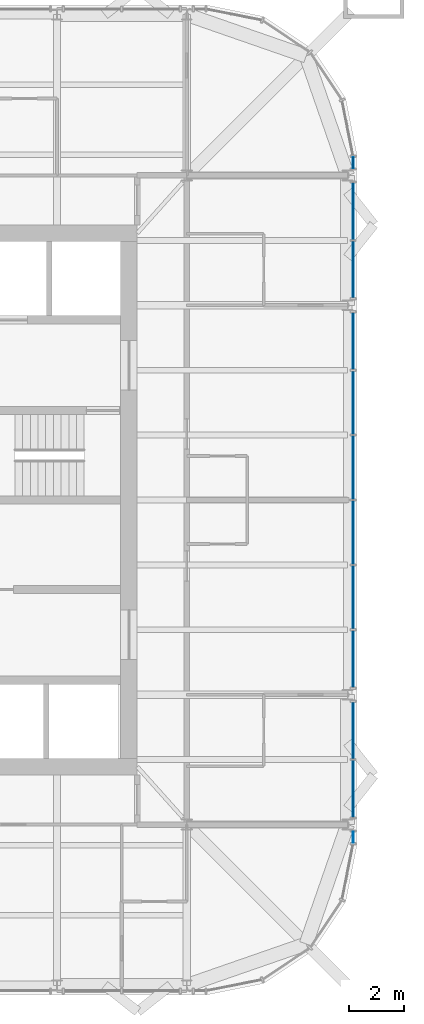
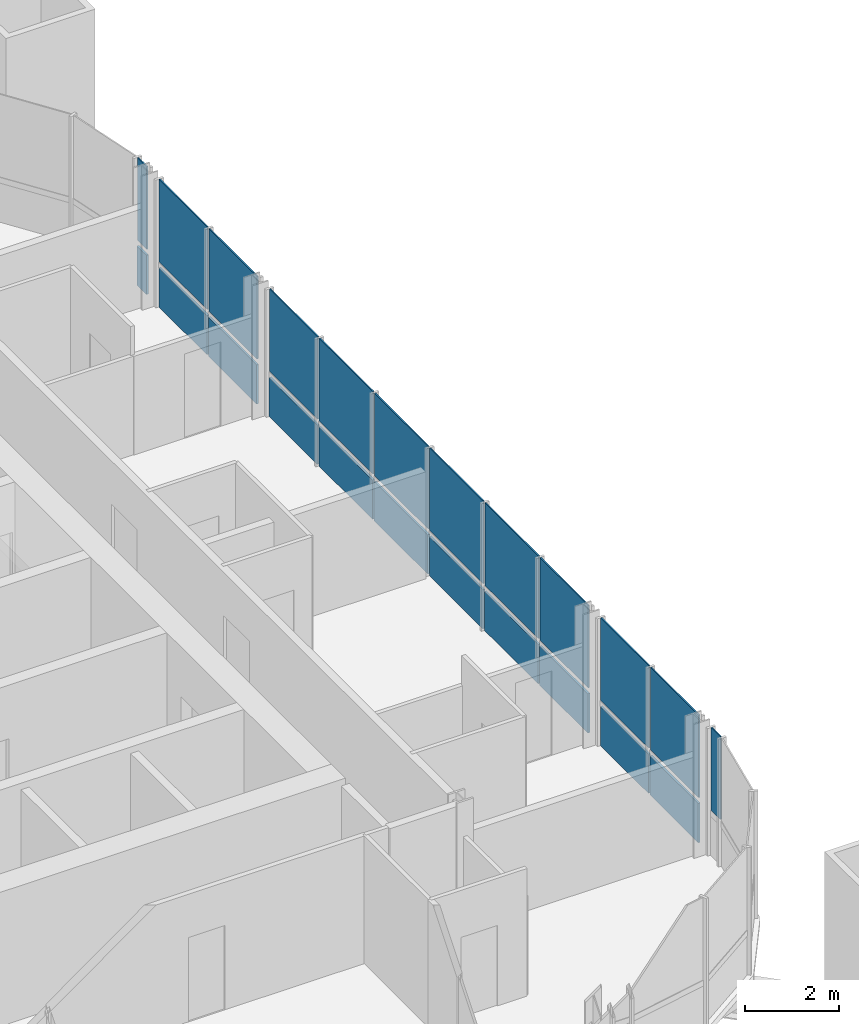
# One storey, part 11 of 17: 23 plates, 5 elements without a shape of their own.
"""IFC4 building model written with IfcOpenShell, lengths in metres."""

from ifc_helpers import new_model, si_unit, direction, frame, origin, origin_2d, place, context, subcontext, project, spatial, rectangle, extrude, material, layer, layer_set, type_object, element, aggregate, save


model = new_model("IFC4")

# Units and contexts
model_context = context("Model", 3, precision=1e-05, world=origin(), true_north=direction((0.0, 1.0)))
body_context = subcontext(model_context, "Body", "Model", "MODEL_VIEW")
ifc_project = project(units=[si_unit("LENGTHUNIT", "METRE"), si_unit("AREAUNIT", "SQUARE_METRE"), si_unit("VOLUMEUNIT", "CUBIC_METRE"), si_unit("PLANEANGLEUNIT", "RADIAN"), si_unit("MASSUNIT", "GRAM", prefix="KILO")], contexts=[model_context])

# Site, building, storey
site_placement = place(None, origin())
site = spatial("IfcSite", under=ifc_project, at=site_placement, CompositionType="ELEMENT")
building_placement = place(site_placement, origin())
building = spatial("IfcBuilding", under=site, at=building_placement, Name="Turquesa Mirador Hotel Tower", CompositionType="ELEMENT")
storey_placement = place(building_placement, frame((0.0, 0.0, 237.199951171875)))
storey = spatial("IfcBuildingStorey", under=building, at=storey_placement, Name="L64", CompositionType="ELEMENT", Elevation=237.199951171875)

# Curtain wall, plates
ifc_material_1 = material(Name="Aluminium extrusion", Category="aluminium")
curtain_wall_type = type_object("IfcCurtainWallType", Name="CW-4 SUITE FRITTED CURTAIN WALL", PredefinedType="USERDEFINED", material=ifc_material_1)
curtain_wall_1_placement = place(storey_placement, origin())
curtain_wall_1 = element("IfcCurtainWall", 1, at=curtain_wall_1_placement, inside=storey, type_object=curtain_wall_type, Name="CW-4 SUITE FRITTED CURTAIN WALL L64", ObjectType="CURTAIN WALL", PredefinedType="USERDEFINED")
ifc_material_2 = material(Name="Ceramic-printed spandrel glass on an insulated back pan", Category="glass")
ifc_layer_1 = layer(ifc_material_2, 0.050048828125)
ifc_layer_set_1 = layer_set([ifc_layer_1], Name="CW PANEL SPANDREL CERAMIC")
plate_type_1 = type_object("IfcPlateType", Name="CW PANEL SPANDREL CERAMIC", PredefinedType="CURTAIN_PANEL", material=ifc_layer_set_1)
plate_1_placement = place(storey_placement, frame((72.85009765625, 34.496826171875, 0.0), z_axis=(0.0, 0.0, 1.0), x_axis=(0.0, 1.0, 0.0)))
plate_1 = element("IfcPlate", 2, at=plate_1_placement, type_object=plate_type_1, Name="Panel", PredefinedType="CURTAIN_PANEL", context=body_context, shape_type="SweptSolid", body=[
    extrude(rectangle(XDim=2.06103515625, YDim=0.050048828125, at=origin_2d()), origin(), (0.0, 0.0, 1.0), 1.02490234375),
])
plate_2_placement = place(storey_placement, frame((72.85009765625, 36.623046875, 0.0), z_axis=(0.0, 0.0, 1.0), x_axis=(0.0, 1.0, 0.0)))
plate_2 = element("IfcPlate", 3, at=plate_2_placement, type_object=plate_type_1, Name="Panel", PredefinedType="CURTAIN_PANEL", context=body_context, shape_type="SweptSolid", body=[
    extrude(rectangle(XDim=2.06103515625, YDim=0.050048828125, at=origin_2d()), origin(), (0.0, 0.0, 1.0), 1.02490234375),
])

curtain_wall_2_placement = place(storey_placement, origin())
curtain_wall_2 = element("IfcCurtainWall", 4, at=curtain_wall_2_placement, inside=storey, type_object=curtain_wall_type, Name="CW-4 SUITE FRITTED CURTAIN WALL L64", ObjectType="CURTAIN WALL", PredefinedType="USERDEFINED")
plate_3_placement = place(storey_placement, frame((72.85009765625, 39.217041015625, 0.0), z_axis=(0.0, 0.0, 1.0), x_axis=(0.0, 1.0, 0.0)))
plate_3 = element("IfcPlate", 5, at=plate_3_placement, type_object=plate_type_1, Name="Panel", PredefinedType="CURTAIN_PANEL", context=body_context, shape_type="SweptSolid", body=[
    extrude(rectangle(XDim=2.06103515625, YDim=0.050048828125, at=origin_2d()), origin(), (0.0, 0.0, 1.0), 1.02490234375),
])
plate_4_placement = place(storey_placement, frame((72.85009765625, 41.4599609375, 0.0), z_axis=(0.0, 0.0, 1.0), x_axis=(0.0, 1.0, 0.0)))
plate_4 = element("IfcPlate", 6, at=plate_4_placement, type_object=plate_type_1, Name="Panel", PredefinedType="CURTAIN_PANEL", context=body_context, shape_type="SweptSolid", body=[
    extrude(rectangle(XDim=2.294921875, YDim=0.050048828125, at=origin_2d()), origin(), (0.0, 0.0, 1.0), 1.02490234375),
])
plate_5_placement = place(storey_placement, frame((72.85009765625, 43.820068359375, 0.0), z_axis=(0.0, 0.0, 1.0), x_axis=(0.0, 1.0, 0.0)))
plate_5 = element("IfcPlate", 7, at=plate_5_placement, type_object=plate_type_1, Name="Panel", PredefinedType="CURTAIN_PANEL", context=body_context, shape_type="SweptSolid", body=[
    extrude(rectangle(XDim=2.294921875, YDim=0.050048828125, at=origin_2d()), origin(), (0.0, 0.0, 1.0), 1.02490234375),
])
plate_6_placement = place(storey_placement, frame((72.85009765625, 46.179931640625, 0.0), z_axis=(0.0, 0.0, 1.0), x_axis=(0.0, 1.0, 0.0)))
plate_6 = element("IfcPlate", 8, at=plate_6_placement, type_object=plate_type_1, Name="Panel", PredefinedType="CURTAIN_PANEL", context=body_context, shape_type="SweptSolid", body=[
    extrude(rectangle(XDim=2.294921875, YDim=0.050048828125, at=origin_2d()), origin(), (0.0, 0.0, 1.0), 1.02490234375),
])
plate_7_placement = place(storey_placement, frame((72.85009765625, 48.5400390625, 0.0), z_axis=(0.0, 0.0, 1.0), x_axis=(0.0, 1.0, 0.0)))
plate_7 = element("IfcPlate", 9, at=plate_7_placement, type_object=plate_type_1, Name="Panel", PredefinedType="CURTAIN_PANEL", context=body_context, shape_type="SweptSolid", body=[
    extrude(rectangle(XDim=2.294921875, YDim=0.050048828125, at=origin_2d()), origin(), (0.0, 0.0, 1.0), 1.02490234375),
])
plate_8_placement = place(storey_placement, frame((72.85009765625, 50.782958984375, 0.0), z_axis=(0.0, 0.0, 1.0), x_axis=(0.0, 1.0, 0.0)))
plate_8 = element("IfcPlate", 10, at=plate_8_placement, type_object=plate_type_1, Name="Panel", PredefinedType="CURTAIN_PANEL", context=body_context, shape_type="SweptSolid", body=[
    extrude(rectangle(XDim=2.06103515625, YDim=0.050048828125, at=origin_2d()), origin(), (0.0, 0.0, 1.0), 1.02490234375),
])

curtain_wall_3_placement = place(storey_placement, origin())
curtain_wall_3 = element("IfcCurtainWall", 11, at=curtain_wall_3_placement, inside=storey, type_object=curtain_wall_type, Name="CW-4 SUITE FRITTED CURTAIN WALL L64", ObjectType="CURTAIN WALL", PredefinedType="USERDEFINED")
plate_9_placement = place(storey_placement, frame((72.85009765625, 53.376953125, 0.0), z_axis=(0.0, 0.0, 1.0), x_axis=(0.0, 1.0, 0.0)))
plate_9 = element("IfcPlate", 12, at=plate_9_placement, type_object=plate_type_1, Name="Panel", PredefinedType="CURTAIN_PANEL", context=body_context, shape_type="SweptSolid", body=[
    extrude(rectangle(XDim=2.06103515625, YDim=0.050048828125, at=origin_2d()), origin(), (0.0, 0.0, 1.0), 1.02490234375),
])
plate_10_placement = place(storey_placement, frame((72.85009765625, 55.503173828125, 0.0), z_axis=(0.0, 0.0, 1.0), x_axis=(0.0, 1.0, 0.0)))
plate_10 = element("IfcPlate", 13, at=plate_10_placement, type_object=plate_type_1, Name="Panel", PredefinedType="CURTAIN_PANEL", context=body_context, shape_type="SweptSolid", body=[
    extrude(rectangle(XDim=2.06103515625, YDim=0.050048828125, at=origin_2d()), origin(), (0.0, 0.0, 1.0), 1.02490234375),
])

# Curtain wall, plate
curtain_wall_4_placement = place(storey_placement, origin())
curtain_wall_4 = element("IfcCurtainWall", 14, at=curtain_wall_4_placement, inside=storey, type_object=curtain_wall_type, Name="CW-4 SUITE FRITTED CURTAIN WALL L64", ObjectType="CURTAIN WALL", PredefinedType="USERDEFINED")
plate_11_placement = place(storey_placement, frame((72.85009765625, 57.266845703125, 0.0), z_axis=(0.0, 0.0, 1.0), x_axis=(0.0, 1.0, 0.0)))
plate_11 = element("IfcPlate", 15, at=plate_11_placement, type_object=plate_type_1, Name="Panel", PredefinedType="CURTAIN_PANEL", context=body_context, shape_type="SweptSolid", body=[
    extrude(rectangle(XDim=0.401123046875, YDim=0.050048828125, at=origin_2d()), origin(), (0.0, 0.0, 1.0), 1.02490234375),
])

curtain_wall_5_placement = place(storey_placement, origin())
curtain_wall_5 = element("IfcCurtainWall", 16, at=curtain_wall_5_placement, inside=storey, type_object=curtain_wall_type, Name="CW-4 SUITE FRITTED CURTAIN WALL L64", ObjectType="CURTAIN WALL", PredefinedType="USERDEFINED")
ifc_material_3 = material(Name="Ceramic-fritted laminated glass", Category="glass")
ifc_layer_2 = layer(ifc_material_3, 0.031982421875)
ifc_layer_set_2 = layer_set([ifc_layer_2], Name="CW PANEL VISION FRITTED")
plate_type_2 = type_object("IfcPlateType", Name="CW PANEL VISION FRITTED", PredefinedType="CURTAIN_PANEL", material=ifc_layer_set_2)
plate_12_placement = place(storey_placement, frame((72.85009765625, 32.733154296875, 1.1748046875), z_axis=(0.0, 0.0, 1.0), x_axis=(0.0, 1.0, 0.0)))
plate_12 = element("IfcPlate", 17, at=plate_12_placement, type_object=plate_type_2, Name="Panel", PredefinedType="CURTAIN_PANEL", context=body_context, shape_type="SweptSolid", body=[
    extrude(rectangle(XDim=0.401123046875, YDim=0.031982421875, at=origin_2d()), origin(), (0.0, 0.0, 1.0), 2.155029296875),
])
aggregate(curtain_wall_5, [plate_12])

# Plate
plate_13_placement = place(storey_placement, frame((72.85009765625, 34.496826171875, 1.1748046875), z_axis=(0.0, 0.0, 1.0), x_axis=(0.0, 1.0, 0.0)))
plate_13 = element("IfcPlate", 18, at=plate_13_placement, type_object=plate_type_2, Name="Panel", PredefinedType="CURTAIN_PANEL", context=body_context, shape_type="SweptSolid", body=[
    extrude(rectangle(XDim=2.06103515625, YDim=0.031982421875, at=origin_2d()), origin(), (0.0, 0.0, 1.0), 2.155029296875),
])

plate_14_placement = place(storey_placement, frame((72.85009765625, 36.623046875, 1.1748046875), z_axis=(0.0, 0.0, 1.0), x_axis=(0.0, 1.0, 0.0)))
plate_14 = element("IfcPlate", 19, at=plate_14_placement, type_object=plate_type_2, Name="Panel", PredefinedType="CURTAIN_PANEL", context=body_context, shape_type="SweptSolid", body=[
    extrude(rectangle(XDim=2.06103515625, YDim=0.031982421875, at=origin_2d()), origin(), (0.0, 0.0, 1.0), 2.155029296875),
])

aggregate(curtain_wall_1, [plate_1, plate_13, plate_2, plate_14])

plate_15_placement = place(storey_placement, frame((72.85009765625, 39.217041015625, 1.1748046875), z_axis=(0.0, 0.0, 1.0), x_axis=(0.0, 1.0, 0.0)))
plate_15 = element("IfcPlate", 20, at=plate_15_placement, type_object=plate_type_2, Name="Panel", PredefinedType="CURTAIN_PANEL", context=body_context, shape_type="SweptSolid", body=[
    extrude(rectangle(XDim=2.06103515625, YDim=0.031982421875, at=origin_2d()), origin(), (0.0, 0.0, 1.0), 2.155029296875),
])

plate_16_placement = place(storey_placement, frame((72.85009765625, 41.4599609375, 1.1748046875), z_axis=(0.0, 0.0, 1.0), x_axis=(0.0, 1.0, 0.0)))
plate_16 = element("IfcPlate", 21, at=plate_16_placement, type_object=plate_type_2, Name="Panel", PredefinedType="CURTAIN_PANEL", context=body_context, shape_type="SweptSolid", body=[
    extrude(rectangle(XDim=2.294921875, YDim=0.031982421875, at=origin_2d()), origin(), (0.0, 0.0, 1.0), 2.155029296875),
])

plate_17_placement = place(storey_placement, frame((72.85009765625, 43.820068359375, 1.1748046875), z_axis=(0.0, 0.0, 1.0), x_axis=(0.0, 1.0, 0.0)))
plate_17 = element("IfcPlate", 22, at=plate_17_placement, type_object=plate_type_2, Name="Panel", PredefinedType="CURTAIN_PANEL", context=body_context, shape_type="SweptSolid", body=[
    extrude(rectangle(XDim=2.294921875, YDim=0.031982421875, at=origin_2d()), origin(), (0.0, 0.0, 1.0), 2.155029296875),
])

plate_18_placement = place(storey_placement, frame((72.85009765625, 46.179931640625, 1.1748046875), z_axis=(0.0, 0.0, 1.0), x_axis=(0.0, 1.0, 0.0)))
plate_18 = element("IfcPlate", 23, at=plate_18_placement, type_object=plate_type_2, Name="Panel", PredefinedType="CURTAIN_PANEL", context=body_context, shape_type="SweptSolid", body=[
    extrude(rectangle(XDim=2.294921875, YDim=0.031982421875, at=origin_2d()), origin(), (0.0, 0.0, 1.0), 2.155029296875),
])

plate_19_placement = place(storey_placement, frame((72.85009765625, 48.5400390625, 1.1748046875), z_axis=(0.0, 0.0, 1.0), x_axis=(0.0, 1.0, 0.0)))
plate_19 = element("IfcPlate", 24, at=plate_19_placement, type_object=plate_type_2, Name="Panel", PredefinedType="CURTAIN_PANEL", context=body_context, shape_type="SweptSolid", body=[
    extrude(rectangle(XDim=2.294921875, YDim=0.031982421875, at=origin_2d()), origin(), (0.0, 0.0, 1.0), 2.155029296875),
])

plate_20_placement = place(storey_placement, frame((72.85009765625, 50.782958984375, 1.1748046875), z_axis=(0.0, 0.0, 1.0), x_axis=(0.0, 1.0, 0.0)))
plate_20 = element("IfcPlate", 25, at=plate_20_placement, type_object=plate_type_2, Name="Panel", PredefinedType="CURTAIN_PANEL", context=body_context, shape_type="SweptSolid", body=[
    extrude(rectangle(XDim=2.06103515625, YDim=0.031982421875, at=origin_2d()), origin(), (0.0, 0.0, 1.0), 2.155029296875),
])

aggregate(curtain_wall_2, [plate_3, plate_15, plate_4, plate_16, plate_5, plate_17, plate_6, plate_18, plate_7, plate_19, plate_8, plate_20])

plate_21_placement = place(storey_placement, frame((72.85009765625, 53.376953125, 1.1748046875), z_axis=(0.0, 0.0, 1.0), x_axis=(0.0, 1.0, 0.0)))
plate_21 = element("IfcPlate", 26, at=plate_21_placement, type_object=plate_type_2, Name="Panel", PredefinedType="CURTAIN_PANEL", context=body_context, shape_type="SweptSolid", body=[
    extrude(rectangle(XDim=2.06103515625, YDim=0.031982421875, at=origin_2d()), origin(), (0.0, 0.0, 1.0), 2.155029296875),
])

plate_22_placement = place(storey_placement, frame((72.85009765625, 55.503173828125, 1.1748046875), z_axis=(0.0, 0.0, 1.0), x_axis=(0.0, 1.0, 0.0)))
plate_22 = element("IfcPlate", 27, at=plate_22_placement, type_object=plate_type_2, Name="Panel", PredefinedType="CURTAIN_PANEL", context=body_context, shape_type="SweptSolid", body=[
    extrude(rectangle(XDim=2.06103515625, YDim=0.031982421875, at=origin_2d()), origin(), (0.0, 0.0, 1.0), 2.155029296875),
])

aggregate(curtain_wall_3, [plate_9, plate_21, plate_10, plate_22])

plate_23_placement = place(storey_placement, frame((72.85009765625, 57.266845703125, 1.1748046875), z_axis=(0.0, 0.0, 1.0), x_axis=(0.0, 1.0, 0.0)))
plate_23 = element("IfcPlate", 28, at=plate_23_placement, type_object=plate_type_2, Name="Panel", PredefinedType="CURTAIN_PANEL", context=body_context, shape_type="SweptSolid", body=[
    extrude(rectangle(XDim=0.401123046875, YDim=0.031982421875, at=origin_2d()), origin(), (0.0, 0.0, 1.0), 2.155029296875),
])

aggregate(curtain_wall_4, [plate_11, plate_23])

save(model, "model.ifc")
